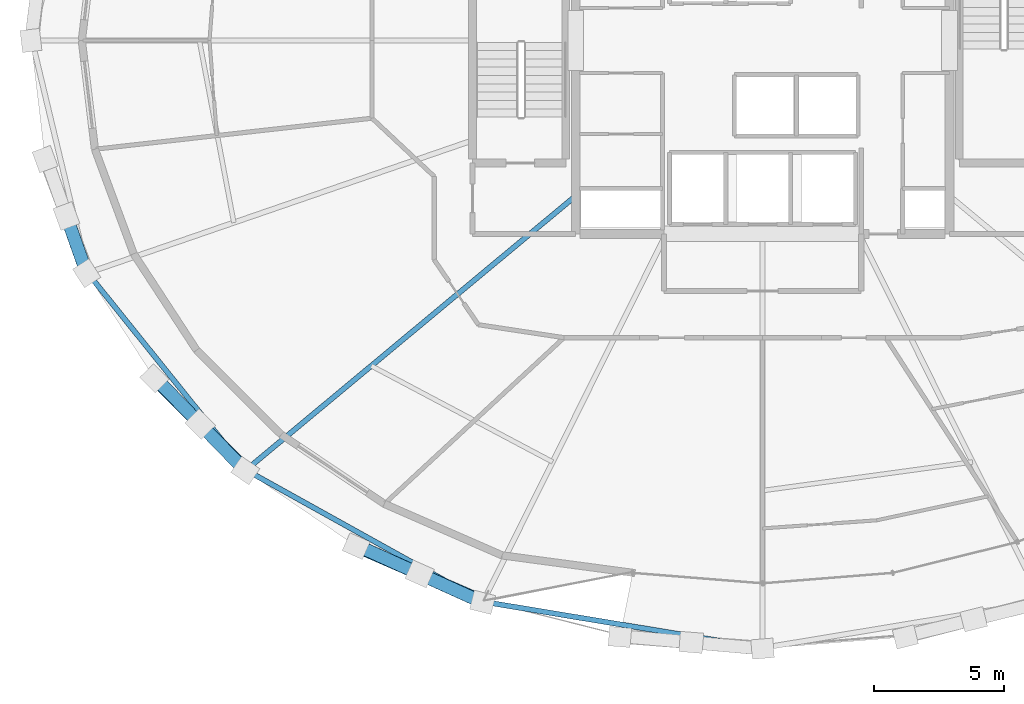
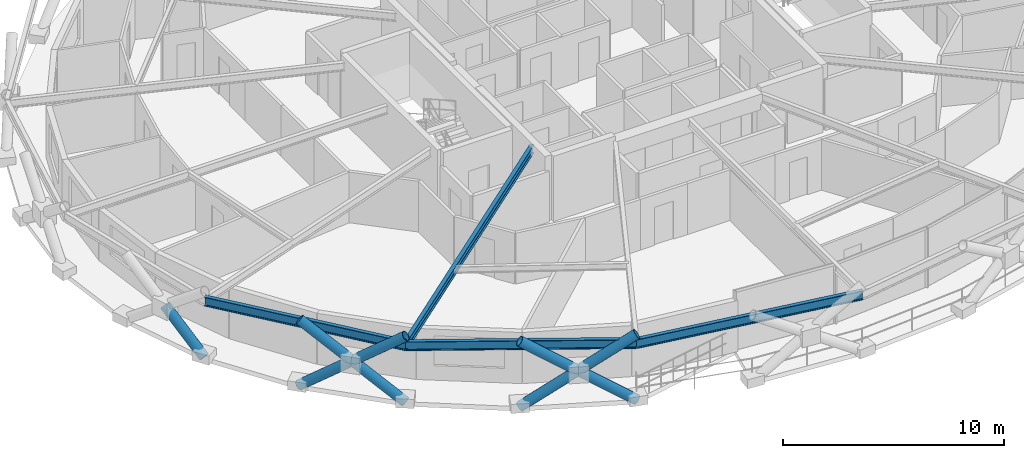
# One storey, part 1 of 19: 7 members, 4 beams.
"""IFC4 building model written with IfcOpenShell, lengths in metres."""

from ifc_helpers import new_model, si_unit, direction, frame, origin, origin_2d, place, context, subcontext, project, spatial, hollow_circle, i_section, extrude, material, material_profile, profile_set, type_object, element, save


model = new_model("IFC4")

# Units and contexts
model_context = context("Model", 3, precision=1e-05, world=origin(), true_north=direction((0.0, 1.0)))
body_context = subcontext(model_context, "Body", "Model", "MODEL_VIEW")
ifc_project = project(units=[si_unit("LENGTHUNIT", "METRE"), si_unit("AREAUNIT", "SQUARE_METRE"), si_unit("VOLUMEUNIT", "CUBIC_METRE"), si_unit("PLANEANGLEUNIT", "RADIAN"), si_unit("MASSUNIT", "GRAM", prefix="KILO")], contexts=[model_context])

# Site, building, storey
site_placement = place(None, origin())
site = spatial("IfcSite", under=ifc_project, at=site_placement, CompositionType="ELEMENT")
building_placement = place(site_placement, origin())
building = spatial("IfcBuilding", under=site, at=building_placement, Name="Veldorina Hangang Commons", CompositionType="ELEMENT")
storey_placement = place(building_placement, frame((0.0, 0.0, 160.39990234375)))
storey = spatial("IfcBuildingStorey", under=building, at=storey_placement, Name="L41", CompositionType="ELEMENT", Elevation=160.39990234375)

# Beams
ifc_material_1 = material(Name="Steel SM355-TMC", Category="steel")
ifc_material_profile_1 = material_profile(ifc_material_1, i_section(OverallWidth=0.199951171875, OverallDepth=0.449951171875, WebThickness=0.009033203125, FlangeThickness=0.013916015625, FilletRadius=0.01611328125, at=origin_2d()), Name="H-450x200x9x14")
ifc_profile_set_1 = profile_set([ifc_material_profile_1], Name="Steel SM355-TMC")
beam_type_1 = type_object("IfcBeamType", Name="BM-FG450", PredefinedType="BEAM", material=ifc_profile_set_1)
beam_1_placement = place(storey_placement, frame((24.800048828125, 18.013671875, 3.125), z_axis=(-0.768935425867, -0.639326450921, 0.0), x_axis=(0.639326450921, -0.768935425867, 0.0)))
element("IfcBeam", 1, at=beam_1_placement, inside=storey, type_object=beam_type_1, Name="L41 radial floor girder 11", PredefinedType="BEAM", context=body_context, shape_type="SweptSolid", body=[
    extrude(i_section(OverallWidth=0.199951171875, OverallDepth=0.449951171875, WebThickness=0.009033203125, FlangeThickness=0.013916015625, FilletRadius=0.01611328125, at=origin_2d()), origin(), (0.0, 0.0, 1.0), 16.521728515625),
])
ifc_material_2 = material(Name="Steel SM420-TMC", Category="steel")
ifc_material_profile_2 = material_profile(ifc_material_2, i_section(OverallWidth=0.199951171875, OverallDepth=0.5, WebThickness=0.010009765625, FlangeThickness=0.01611328125, FilletRadius=0.01611328125, at=origin_2d()), Name="H-500x200x10x16")
ifc_profile_set_2 = profile_set([ifc_material_profile_2], Name="Steel SM420-TMC")
beam_type_2 = type_object("IfcBeamType", Name="BM-RB500", PredefinedType="BEAM", material=ifc_profile_set_2)
beam_2_placement = place(storey_placement, frame((5.993896484375, 15.043701171875, 3.10009765625), z_axis=(0.626435707691, -0.77947309391, 0.0), x_axis=(0.77947309391, 0.626435707691, 0.0)))
element("IfcBeam", 2, at=beam_2_placement, inside=storey, type_object=beam_type_2, Name="L41 perimeter hoop ring beam 18", PredefinedType="BEAM", context=body_context, shape_type="SweptSolid", body=[
    extrude(i_section(OverallWidth=0.199951171875, OverallDepth=0.5, WebThickness=0.010009765625, FlangeThickness=0.01611328125, FilletRadius=0.01611328125, at=origin_2d()), origin(), (0.0, 0.0, 1.0), 9.740966796875),
])
beam_3_placement = place(storey_placement, frame((12.095947265625, 7.450927734375, 3.10009765625), z_axis=(0.874147354533, -0.485660789609, 0.0), x_axis=(0.485660789609, 0.874147354533, 0.0)))
element("IfcBeam", 3, at=beam_3_placement, inside=storey, type_object=beam_type_2, Name="L41 perimeter hoop ring beam 20", PredefinedType="BEAM", context=body_context, shape_type="SweptSolid", body=[
    extrude(i_section(OverallWidth=0.199951171875, OverallDepth=0.5, WebThickness=0.010009765625, FlangeThickness=0.01611328125, FilletRadius=0.01611328125, at=origin_2d()), origin(), (0.0, 0.0, 1.0), 10.446533203125),
])
beam_4_placement = place(storey_placement, frame((21.227783203125, 2.37744140625, 3.10009765625), z_axis=(0.986599225336, -0.163162399367, 0.0), x_axis=(0.163162399367, 0.986599225336, 0.0)))
element("IfcBeam", 4, at=beam_4_placement, inside=storey, type_object=beam_type_2, Name="L41 perimeter hoop ring beam 22", PredefinedType="BEAM", context=body_context, shape_type="SweptSolid", body=[
    extrude(i_section(OverallWidth=0.199951171875, OverallDepth=0.5, WebThickness=0.010009765625, FlangeThickness=0.01611328125, FilletRadius=0.01611328125, at=origin_2d()), origin(), (0.0, 0.0, 1.0), 10.91845703125),
])

# Members
ifc_material_profile_3 = material_profile(ifc_material_2, hollow_circle(Radius=0.25, WallThickness=0.02490234375, at=origin_2d()), Name="CHS-500x25")
ifc_profile_set_3 = profile_set([ifc_material_profile_3], Name="Steel SM420-TMC")
member_type = type_object("IfcMemberType", Name="DG-CHS500", PredefinedType="BRACE", material=ifc_profile_set_3)
member_1_placement = place(storey_placement, frame((5.956787109375, 15.032958984375, 0.0), z_axis=(-0.264310422267, 0.74650730096, 0.6106282423), x_axis=(-0.94265805007, -0.333760094438, 0.0)))
element("IfcMember", 5, at=member_1_placement, inside=storey, type_object=member_type, Name="L41 split perimeter diagrid lower brace 18", PredefinedType="BRACE", context=body_context, shape_type="SweptSolid", body=[
    extrude(hollow_circle(Radius=0.25, WallThickness=0.02490234375, at=origin_2d()), origin(), (0.0, 0.0, 1.0), 2.9501953125),
])
member_2_placement = place(storey_placement, frame((8.56201171875, 10.981689453125, 0.0), z_axis=(0.574591623862, -0.57280767029, 0.584581763866), x_axis=(0.706006532316, 0.708205320741, 0.0)))
element("IfcMember", 6, at=member_2_placement, inside=storey, type_object=member_type, Name="L41 continuous perimeter diagrid brace 19", PredefinedType="BRACE", context=body_context, shape_type="SweptSolid", body=[
    extrude(hollow_circle(Radius=0.25, WallThickness=0.02490234375, at=origin_2d()), origin(), (0.0, 0.0, 1.0), 6.158447265625),
])
member_3_placement = place(storey_placement, frame((12.0673828125, 7.430908203125, 0.0), z_axis=(-0.564538426658, 0.581063052712, 0.586226998354), x_axis=(-0.717231768657, -0.696834693475, 0.0)))
element("IfcMember", 7, at=member_3_placement, inside=storey, type_object=member_type, Name="L41 split perimeter diagrid lower brace 20", PredefinedType="BRACE", context=body_context, shape_type="SweptSolid", body=[
    extrude(hollow_circle(Radius=0.25, WallThickness=0.02490234375, at=origin_2d()), origin(), (0.0, 0.0, 1.0), 3.072998046875),
])
member_4_placement = place(storey_placement, frame((10.33251953125, 9.216552734375, 1.801513671875), z_axis=(-0.564438807334, 0.581227162049, 0.586160233103), x_axis=(-0.717391559341, -0.696670187812, 0.0)))
element("IfcMember", 8, at=member_4_placement, inside=storey, type_object=member_type, Name="L41 split perimeter diagrid upper brace 20", PredefinedType="BRACE", context=body_context, shape_type="SweptSolid", body=[
    extrude(hollow_circle(Radius=0.25, WallThickness=0.02490234375, at=origin_2d()), origin(), (0.0, 0.0, 1.0), 3.068359375),
])
member_5_placement = place(storey_placement, frame((16.339111328125, 4.516845703125, 0.0), z_axis=(0.75978599578, -0.331673986478, 0.559211594399), x_axis=(0.400077199672, 0.916481442422, 0.0)))
element("IfcMember", 9, at=member_5_placement, inside=storey, type_object=member_type, Name="L41 continuous perimeter diagrid brace 21", PredefinedType="BRACE", context=body_context, shape_type="SweptSolid", body=[
    extrude(hollow_circle(Radius=0.25, WallThickness=0.02490234375, at=origin_2d()), origin(), (0.0, 0.0, 1.0), 6.437744140625),
])
member_6_placement = place(storey_placement, frame((21.212646484375, 2.3515625, 0.0), z_axis=(-0.754666314547, 0.341221269121, 0.560398785855), x_axis=(-0.411992063943, -0.911187433653, 0.0)))
element("IfcMember", 10, at=member_6_placement, inside=storey, type_object=member_type, Name="L41 split perimeter diagrid lower brace 22", PredefinedType="BRACE", context=body_context, shape_type="SweptSolid", body=[
    extrude(hollow_circle(Radius=0.25, WallThickness=0.02490234375, at=origin_2d()), origin(), (0.0, 0.0, 1.0), 3.214599609375),
])
member_7_placement = place(storey_placement, frame((18.78662109375, 3.448486328125, 1.801513671875), z_axis=(-0.754580448021, 0.341345142683, 0.560438971728), x_axis=(-0.412155161351, -0.911113671817, 0.0)))
element("IfcMember", 11, at=member_7_placement, inside=storey, type_object=member_type, Name="L41 split perimeter diagrid upper brace 22", PredefinedType="BRACE", context=body_context, shape_type="SweptSolid", body=[
    extrude(hollow_circle(Radius=0.25, WallThickness=0.02490234375, at=origin_2d()), origin(), (0.0, 0.0, 1.0), 3.209228515625),
])

save(model, "model.ifc")
